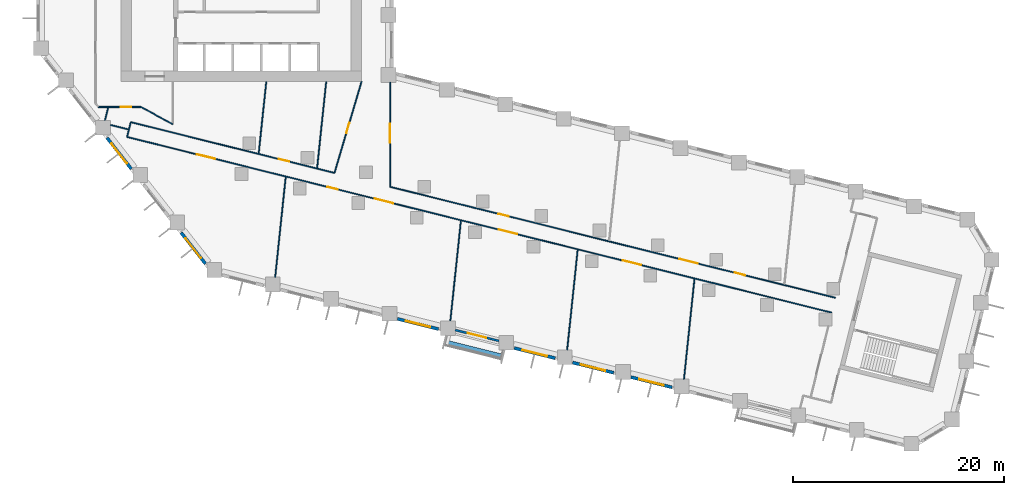
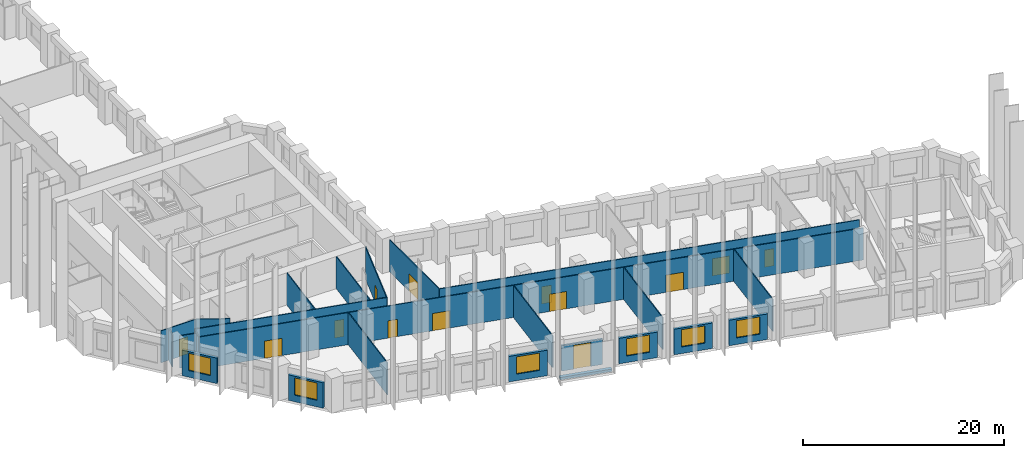
# One storey, part 3 of 11: 24 walls, 13 doors, 6 windows, 19 openings.
"""IFC4 building model written with IfcOpenShell, lengths in metres."""

from ifc_helpers import new_model, si_unit, direction, frame, frame_2d, origin, place, context, subcontext, project, spatial, rectangle, extrude, material, layer, layer_set, type_object, element, fill, save


model = new_model("IFC4")

# Units and contexts
model_context = context("Model", 3, precision=1e-05, world=origin(), true_north=direction((0.0, 1.0)))
body_context = subcontext(model_context, "Body", "Model", "MODEL_VIEW")
ifc_project = project(units=[si_unit("LENGTHUNIT", "METRE"), si_unit("AREAUNIT", "SQUARE_METRE"), si_unit("VOLUMEUNIT", "CUBIC_METRE"), si_unit("PLANEANGLEUNIT", "RADIAN"), si_unit("MASSUNIT", "GRAM", prefix="KILO")], contexts=[model_context])

# Site, building, storey
site_placement = place(None, origin())
site = spatial("IfcSite", under=ifc_project, at=site_placement, CompositionType="ELEMENT")
building_placement = place(site_placement, origin())
building = spatial("IfcBuilding", under=site, at=building_placement, Name="Meshkara Civic Tower", CompositionType="ELEMENT")
storey_placement = place(building_placement, frame((0.0, 0.0, 49.800048828125)))
storey = spatial("IfcBuildingStorey", under=building, at=storey_placement, Name="L10", CompositionType="ELEMENT", Elevation=49.800048828125)

# Wall, opening, door
ifc_material_1 = material(Name="Corridor wall 100")
ifc_layer_1 = layer(ifc_material_1, 0.10009765625)
ifc_layer_set_1 = layer_set([ifc_layer_1], Name="Corridor wall 100")
wall_type_1 = type_object("IfcWallType", Name="Corridor wall 100", PredefinedType="PARTITIONING", material=ifc_layer_set_1)
wall_1_placement = place(storey_placement, frame((5.867919921875, 11.699951171875, 0.0), z_axis=(0.0, 0.0, 1.0), x_axis=(1.0, 0.0, 0.0)))
wall_1 = element("IfcWall", 1, at=wall_1_placement, inside=storey, type_object=wall_type_1, Name="L10-W007", PredefinedType="PARTITIONING", context=body_context, shape_type="SweptSolid", body=[
    extrude(rectangle(XDim=4.031982421875, YDim=0.10009765625, at=frame_2d((2.01611328125, 0.0))), origin(), (0.0, 0.0, 1.0), 3.89990234375),
])
opening_1_placement = place(wall_1_placement, frame((2.10888671875, 0.0, 0.0)))
opening_1 = element("IfcOpeningElement", 2, at=opening_1_placement, cuts=wall_1, Name="Opening L10-D012", PredefinedType="OPENING", context=body_context, shape_type="SweptSolid", body=[
    extrude(rectangle(XDim=1.0, YDim=2.10009765625, at=frame_2d((0.5, 1.050048828125))), frame((0.0, 0.06005859375, 0.0), z_axis=(0.0, -1.0, 0.0), x_axis=(1.0, 0.0, 0.0)), (0.0, 0.0, 1.0), 0.1201171875),
])
ifc_material_2 = material(Name="Door 1000 x 2100")
door_type_1 = type_object("IfcDoorType", Name="Door 1000 x 2100", OperationType="SINGLE_SWING_LEFT", PredefinedType="DOOR", material=ifc_material_2)
door_1_placement = place(opening_1_placement, origin())
door_1 = element("IfcDoor", 3, at=door_1_placement, inside=storey, type_object=door_type_1, Name="L10-D012", OperationType="SINGLE_SWING_LEFT", OverallHeight=2.10009765625, OverallWidth=1.0, PredefinedType="DOOR", context=body_context, shape_type="SweptSolid", body=[
    extrude(rectangle(XDim=1.0, YDim=2.10009765625, at=frame_2d((0.5, 1.050048828125))), frame((0.0, 0.02490234375, 0.0), z_axis=(0.0, -1.0, 0.0), x_axis=(1.0, 0.0, 0.0)), (0.0, 0.0, 1.0), 0.050048828125),
])
fill(opening_1, door_1)

# Wall, openings, doors
wall_2_placement = place(storey_placement, frame((8.593994140625, 8.862060546875, 0.0), z_axis=(0.0, 0.0, 1.0), x_axis=(0.970292243361, -0.241935864379, 0.0)))
wall_2 = element("IfcWall", 4, at=wall_2_placement, inside=storey, type_object=wall_type_1, Name="L10-W009", PredefinedType="PARTITIONING", context=body_context, shape_type="SweptSolid", body=[
    extrude(rectangle(XDim=68.775146484375, YDim=0.10009765625, at=frame_2d((34.3876953125, 0.0))), origin(), (0.0, 0.0, 1.0), 3.89990234375),
])
opening_2_placement = place(wall_2_placement, frame((36.264892578125, 0.0, 0.0)))
opening_2 = element("IfcOpeningElement", 5, at=opening_2_placement, cuts=wall_2, Name="Opening L10-D003", PredefinedType="OPENING", context=body_context, shape_type="SweptSolid", body=[
    extrude(rectangle(XDim=1.800048828125, YDim=2.10009765625, at=frame_2d((0.89990234375, 1.050048828125))), frame((0.0, 0.06005859375, 0.0), z_axis=(0.0, -1.0, 0.0), x_axis=(1.0, 0.0, 0.0)), (0.0, 0.0, 1.0), 0.1201171875),
])
opening_3_placement = place(wall_2_placement, frame((48.364990234375, 0.0, 0.0)))
opening_3 = element("IfcOpeningElement", 6, at=opening_3_placement, cuts=wall_2, Name="Opening L10-D004", PredefinedType="OPENING", context=body_context, shape_type="SweptSolid", body=[
    extrude(rectangle(XDim=1.800048828125, YDim=2.10009765625, at=frame_2d((0.89990234375, 1.050048828125))), frame((0.0, 0.06005859375, 0.0), z_axis=(0.0, -1.0, 0.0), x_axis=(1.0, 0.0, 0.0)), (0.0, 0.0, 1.0), 0.1201171875),
])
opening_4_placement = place(wall_2_placement, frame((19.56494140625, 0.0, 0.0)))
opening_4 = element("IfcOpeningElement", 7, at=opening_4_placement, cuts=wall_2, Name="Opening L10-D008", PredefinedType="OPENING", context=body_context, shape_type="SweptSolid", body=[
    extrude(rectangle(XDim=1.0, YDim=2.10009765625, at=frame_2d((0.5, 1.050048828125))), frame((0.0, 0.06005859375, 0.0), z_axis=(0.0, -1.0, 0.0), x_axis=(1.0, 0.0, 0.0)), (0.0, 0.0, 1.0), 0.1201171875),
])
opening_5_placement = place(wall_2_placement, frame((24.1650390625, 0.0, 0.0)))
opening_5 = element("IfcOpeningElement", 8, at=opening_5_placement, cuts=wall_2, Name="Opening L10-D009", PredefinedType="OPENING", context=body_context, shape_type="SweptSolid", body=[
    extrude(rectangle(XDim=1.800048828125, YDim=2.10009765625, at=frame_2d((0.89990234375, 1.050048828125))), frame((0.0, 0.06005859375, 0.0), z_axis=(0.0, -1.0, 0.0), x_axis=(1.0, 0.0, 0.0)), (0.0, 0.0, 1.0), 0.1201171875),
])
opening_6_placement = place(wall_2_placement, frame((6.780029296875, 0.0, 0.0)))
opening_6 = element("IfcOpeningElement", 9, at=opening_6_placement, cuts=wall_2, Name="Opening L10-D013", PredefinedType="OPENING", context=body_context, shape_type="SweptSolid", body=[
    extrude(rectangle(XDim=1.800048828125, YDim=2.10009765625, at=frame_2d((0.89990234375, 1.050048828125))), frame((0.0, 0.06005859375, 0.0), z_axis=(0.0, -1.0, 0.0), x_axis=(1.0, 0.0, 0.0)), (0.0, 0.0, 1.0), 0.1201171875),
])
door_2_placement = place(opening_4_placement, origin())
door_2 = element("IfcDoor", 10, at=door_2_placement, inside=storey, type_object=door_type_1, Name="L10-D008", OperationType="SINGLE_SWING_RIGHT", OverallHeight=2.10009765625, OverallWidth=1.0, PredefinedType="DOOR", context=body_context, shape_type="SweptSolid", body=[
    extrude(rectangle(XDim=1.0, YDim=2.10009765625, at=frame_2d((0.5, 1.050048828125))), frame((0.0, 0.02490234375, 0.0), z_axis=(0.0, -1.0, 0.0), x_axis=(1.0, 0.0, 0.0)), (0.0, 0.0, 1.0), 0.050048828125),
])
fill(opening_4, door_2)
ifc_material_3 = material(Name="Door pair 1800 x 2100")
door_type_2 = type_object("IfcDoorType", Name="Door pair 1800 x 2100", OperationType="SINGLE_SWING_LEFT", PredefinedType="DOOR", material=ifc_material_3)
door_3_placement = place(opening_2_placement, origin())
door_3 = element("IfcDoor", 11, at=door_3_placement, inside=storey, type_object=door_type_2, Name="L10-D003", OperationType="DOUBLE_DOOR_SINGLE_SWING", OverallHeight=2.10009765625, OverallWidth=1.800048828125, PredefinedType="DOOR", context=body_context, shape_type="SweptSolid", body=[
    extrude(rectangle(XDim=1.800048828125, YDim=2.10009765625, at=frame_2d((0.89990234375, 1.050048828125))), frame((0.0, 0.02490234375, 0.0), z_axis=(0.0, -1.0, 0.0), x_axis=(1.0, 0.0, 0.0)), (0.0, 0.0, 1.0), 0.050048828125),
])
fill(opening_2, door_3)
door_4_placement = place(opening_3_placement, origin())
door_4 = element("IfcDoor", 12, at=door_4_placement, inside=storey, type_object=door_type_2, Name="L10-D004", OperationType="DOUBLE_DOOR_SINGLE_SWING", OverallHeight=2.10009765625, OverallWidth=1.800048828125, PredefinedType="DOOR", context=body_context, shape_type="SweptSolid", body=[
    extrude(rectangle(XDim=1.800048828125, YDim=2.10009765625, at=frame_2d((0.89990234375, 1.050048828125))), frame((0.0, 0.02490234375, 0.0), z_axis=(0.0, -1.0, 0.0), x_axis=(1.0, 0.0, 0.0)), (0.0, 0.0, 1.0), 0.050048828125),
])
fill(opening_3, door_4)
door_5_placement = place(opening_5_placement, origin())
door_5 = element("IfcDoor", 13, at=door_5_placement, inside=storey, type_object=door_type_2, Name="L10-D009", OperationType="DOUBLE_DOOR_SINGLE_SWING", OverallHeight=2.10009765625, OverallWidth=1.800048828125, PredefinedType="DOOR", context=body_context, shape_type="SweptSolid", body=[
    extrude(rectangle(XDim=1.800048828125, YDim=2.10009765625, at=frame_2d((0.89990234375, 1.050048828125))), frame((0.0, 0.02490234375, 0.0), z_axis=(0.0, -1.0, 0.0), x_axis=(1.0, 0.0, 0.0)), (0.0, 0.0, 1.0), 0.050048828125),
])
fill(opening_5, door_5)
door_6_placement = place(opening_6_placement, origin())
door_6 = element("IfcDoor", 14, at=door_6_placement, inside=storey, type_object=door_type_2, Name="L10-D013", OperationType="DOUBLE_DOOR_SINGLE_SWING", OverallHeight=2.10009765625, OverallWidth=1.800048828125, PredefinedType="DOOR", context=body_context, shape_type="SweptSolid", body=[
    extrude(rectangle(XDim=1.800048828125, YDim=2.10009765625, at=frame_2d((0.89990234375, 1.050048828125))), frame((0.0, 0.02490234375, 0.0), z_axis=(0.0, -1.0, 0.0), x_axis=(1.0, 0.0, 0.0)), (0.0, 0.0, 1.0), 0.050048828125),
])
fill(opening_6, door_6)

# Wall, opening, door
wall_3_placement = place(storey_placement, frame((8.944091796875, 10.263916015625, 0.0), z_axis=(0.0, 0.0, 1.0), x_axis=(0.970300504447, -0.241902730595, 0.0)))
wall_3 = element("IfcWall", 15, at=wall_3_placement, inside=storey, type_object=wall_type_1, Name="L10-W010", PredefinedType="PARTITIONING", context=body_context, shape_type="SweptSolid", body=[
    extrude(rectangle(XDim=19.879150390625, YDim=0.10009765625, at=frame_2d((9.939453125, 0.0))), origin(), (0.0, 0.0, 1.0), 3.89990234375),
])
opening_7_placement = place(wall_3_placement, frame((14.449951171875, 0.0, 0.0)))
opening_7 = element("IfcOpeningElement", 16, at=opening_7_placement, cuts=wall_3, Name="Opening L10-D014", PredefinedType="OPENING", context=body_context, shape_type="SweptSolid", body=[
    extrude(rectangle(XDim=1.0, YDim=2.10009765625, at=frame_2d((0.5, 1.050048828125))), frame((0.0, 0.06005859375, 0.0), z_axis=(0.0, -1.0, 0.0), x_axis=(1.0, 0.0, 0.0)), (0.0, 0.0, 1.0), 0.1201171875),
])
door_7_placement = place(opening_7_placement, origin())
door_7 = element("IfcDoor", 17, at=door_7_placement, inside=storey, type_object=door_type_1, Name="L10-D014", OperationType="SINGLE_SWING_LEFT", OverallHeight=2.10009765625, OverallWidth=1.0, PredefinedType="DOOR", context=body_context, shape_type="SweptSolid", body=[
    extrude(rectangle(XDim=1.0, YDim=2.10009765625, at=frame_2d((0.5, 1.050048828125))), frame((0.0, 0.02490234375, 0.0), z_axis=(0.0, -1.0, 0.0), x_axis=(1.0, 0.0, 0.0)), (0.0, 0.0, 1.0), 0.050048828125),
])
fill(opening_7, door_7)

# Walls
wall_4_placement = place(storey_placement, frame((8.944091796875, 10.263916015625, 0.0), z_axis=(0.0, 0.0, 1.0), x_axis=(-0.242297077633, -0.970202105837, 0.0)))
element("IfcWall", 18, at=wall_4_placement, inside=storey, type_object=wall_type_1, Name="L10-W011", PredefinedType="PARTITIONING", context=body_context, shape_type="SweptSolid", body=[
    extrude(rectangle(XDim=1.44482421875, YDim=0.10009765625, at=frame_2d((0.722412109375, 0.0))), origin(), (0.0, 0.0, 1.0), 3.89990234375),
])
wall_5_placement = place(storey_placement, frame((9.89990234375, 11.699951171875, 0.0), z_axis=(0.0, 0.0, 1.0), x_axis=(0.87965147249, -0.475618846291, 0.0)))
element("IfcWall", 19, at=wall_5_placement, inside=storey, type_object=wall_type_1, Name="L10-W012", PredefinedType="PARTITIONING", context=body_context, shape_type="SweptSolid", body=[
    extrude(rectangle(XDim=3.410400390625, YDim=0.10009765625, at=frame_2d((1.705078125, 0.0))), origin(), (0.0, 0.0, 1.0), 3.89990234375),
])

# Wall, opening, door
wall_6_placement = place(storey_placement, frame((30.800048828125, 14.10009765625, 0.0), z_axis=(0.0, 0.0, 1.0), x_axis=(-0.284664373847, -0.95862724469, 0.0)))
wall_6 = element("IfcWall", 20, at=wall_6_placement, inside=storey, type_object=wall_type_1, Name="L10-W022", PredefinedType="PARTITIONING", context=body_context, shape_type="SweptSolid", body=[
    extrude(rectangle(XDim=9.01806640625, YDim=0.10009765625, at=frame_2d((4.509033203125, 0.0))), origin(), (0.0, 0.0, 1.0), 3.89990234375),
])
opening_8_placement = place(wall_6_placement, frame((4.080078125, 0.0, 0.0)))
opening_8 = element("IfcOpeningElement", 21, at=opening_8_placement, cuts=wall_6, Name="Opening L10-D015", PredefinedType="OPENING", context=body_context, shape_type="SweptSolid", body=[
    extrude(rectangle(XDim=1.0, YDim=2.10009765625, at=frame_2d((0.5, 1.050048828125))), frame((0.0, 0.06005859375, 0.0), z_axis=(0.0, -1.0, 0.0), x_axis=(1.0, 0.0, 0.0)), (0.0, 0.0, 1.0), 0.1201171875),
])
door_8_placement = place(opening_8_placement, origin())
door_8 = element("IfcDoor", 22, at=door_8_placement, inside=storey, type_object=door_type_1, Name="L10-D015", OperationType="SINGLE_SWING_LEFT", OverallHeight=2.10009765625, OverallWidth=1.0, PredefinedType="DOOR", context=body_context, shape_type="SweptSolid", body=[
    extrude(rectangle(XDim=1.0, YDim=2.10009765625, at=frame_2d((0.5, 1.050048828125))), frame((0.0, 0.02490234375, 0.0), z_axis=(0.0, -1.0, 0.0), x_axis=(1.0, 0.0, 0.0)), (0.0, 0.0, 1.0), 0.050048828125),
])
fill(opening_8, door_8)

# Wall, openings, doors
wall_7_placement = place(storey_placement, frame((33.5, 4.14111328125, 0.0), z_axis=(0.0, 0.0, 1.0), x_axis=(0.970298574657, -0.24191047108, 0.0)))
wall_7 = element("IfcWall", 23, at=wall_7_placement, inside=storey, type_object=wall_type_1, Name="L10-W023", PredefinedType="PARTITIONING", context=body_context, shape_type="SweptSolid", body=[
    extrude(rectangle(XDim=43.467041015625, YDim=0.10009765625, at=frame_2d((21.7333984375, 0.0))), origin(), (0.0, 0.0, 1.0), 3.89990234375),
])
opening_9_placement = place(wall_7_placement, frame((28.242919921875, 0.0, 0.0)))
opening_9 = element("IfcOpeningElement", 24, at=opening_9_placement, cuts=wall_7, Name="Opening L10-D005", PredefinedType="OPENING", context=body_context, shape_type="SweptSolid", body=[
    extrude(rectangle(XDim=1.800048828125, YDim=2.10009765625, at=frame_2d((0.89990234375, 1.050048828125))), frame((0.0, 0.06005859375, 0.0), z_axis=(0.0, -1.0, 0.0), x_axis=(1.0, 0.0, 0.0)), (0.0, 0.0, 1.0), 0.1201171875),
])
opening_10_placement = place(wall_7_placement, frame((33.64306640625, 0.0, 0.0)))
opening_10 = element("IfcOpeningElement", 25, at=opening_10_placement, cuts=wall_7, Name="Opening L10-D006", PredefinedType="OPENING", context=body_context, shape_type="SweptSolid", body=[
    extrude(rectangle(XDim=1.0, YDim=2.10009765625, at=frame_2d((0.5, 1.050048828125))), frame((0.0, 0.06005859375, 0.0), z_axis=(0.0, -1.0, 0.0), x_axis=(1.0, 0.0, 0.0)), (0.0, 0.0, 1.0), 0.1201171875),
])
opening_11_placement = place(wall_7_placement, frame((10.580078125, 0.0, 0.0)))
opening_11 = element("IfcOpeningElement", 26, at=opening_11_placement, cuts=wall_7, Name="Opening L10-D010", PredefinedType="OPENING", context=body_context, shape_type="SweptSolid", body=[
    extrude(rectangle(XDim=1.0, YDim=2.10009765625, at=frame_2d((0.5, 1.050048828125))), frame((0.0, 0.06005859375, 0.0), z_axis=(0.0, -1.0, 0.0), x_axis=(1.0, 0.0, 0.0)), (0.0, 0.0, 1.0), 0.1201171875),
])
door_9_placement = place(opening_10_placement, origin())
door_9 = element("IfcDoor", 27, at=door_9_placement, inside=storey, type_object=door_type_1, Name="L10-D006", OperationType="SINGLE_SWING_RIGHT", OverallHeight=2.10009765625, OverallWidth=1.0, PredefinedType="DOOR", context=body_context, shape_type="SweptSolid", body=[
    extrude(rectangle(XDim=1.0, YDim=2.10009765625, at=frame_2d((0.5, 1.050048828125))), frame((0.0, 0.02490234375, 0.0), z_axis=(0.0, -1.0, 0.0), x_axis=(1.0, 0.0, 0.0)), (0.0, 0.0, 1.0), 0.050048828125),
])
fill(opening_10, door_9)
door_10_placement = place(opening_11_placement, origin())
door_10 = element("IfcDoor", 28, at=door_10_placement, inside=storey, type_object=door_type_1, Name="L10-D010", OperationType="SINGLE_SWING_RIGHT", OverallHeight=2.10009765625, OverallWidth=1.0, PredefinedType="DOOR", context=body_context, shape_type="SweptSolid", body=[
    extrude(rectangle(XDim=1.0, YDim=2.10009765625, at=frame_2d((0.5, 1.050048828125))), frame((0.0, 0.02490234375, 0.0), z_axis=(0.0, -1.0, 0.0), x_axis=(1.0, 0.0, 0.0)), (0.0, 0.0, 1.0), 0.050048828125),
])
fill(opening_11, door_10)
door_11_placement = place(opening_9_placement, origin())
door_11 = element("IfcDoor", 29, at=door_11_placement, inside=storey, type_object=door_type_2, Name="L10-D005", OperationType="DOUBLE_DOOR_SINGLE_SWING", OverallHeight=2.10009765625, OverallWidth=1.800048828125, PredefinedType="DOOR", context=body_context, shape_type="SweptSolid", body=[
    extrude(rectangle(XDim=1.800048828125, YDim=2.10009765625, at=frame_2d((0.89990234375, 1.050048828125))), frame((0.0, 0.02490234375, 0.0), z_axis=(0.0, -1.0, 0.0), x_axis=(1.0, 0.0, 0.0)), (0.0, 0.0, 1.0), 0.050048828125),
])
fill(opening_9, door_11)

# Wall, opening, door
wall_8_placement = place(storey_placement, frame((33.5, 4.14111328125, 0.0), z_axis=(0.0, 0.0, 1.0), x_axis=(0.0, 1.0, 0.0)))
wall_8 = element("IfcWall", 30, at=wall_8_placement, inside=storey, type_object=wall_type_1, Name="L10-W024", PredefinedType="PARTITIONING", context=body_context, shape_type="SweptSolid", body=[
    extrude(rectangle(XDim=9.8779296875, YDim=0.10009765625, at=frame_2d((4.93896484375, 0.0))), origin(), (0.0, 0.0, 1.0), 3.89990234375),
])
opening_12_placement = place(wall_8_placement, frame((4.179931640625, 0.0, 0.0)))
opening_12 = element("IfcOpeningElement", 31, at=opening_12_placement, cuts=wall_8, Name="Opening L10-D016", PredefinedType="OPENING", context=body_context, shape_type="SweptSolid", body=[
    extrude(rectangle(XDim=1.800048828125, YDim=2.10009765625, at=frame_2d((0.89990234375, 1.050048828125))), frame((0.0, 0.06005859375, 0.0), z_axis=(0.0, -1.0, 0.0), x_axis=(1.0, 0.0, 0.0)), (0.0, 0.0, 1.0), 0.1201171875),
])
door_12_placement = place(opening_12_placement, origin())
door_12 = element("IfcDoor", 32, at=door_12_placement, inside=storey, type_object=door_type_2, Name="L10-D016", OperationType="DOUBLE_DOOR_SINGLE_SWING", OverallHeight=2.10009765625, OverallWidth=1.800048828125, PredefinedType="DOOR", context=body_context, shape_type="SweptSolid", body=[
    extrude(rectangle(XDim=1.800048828125, YDim=2.10009765625, at=frame_2d((0.89990234375, 1.050048828125))), frame((0.0, 0.02490234375, 0.0), z_axis=(0.0, -1.0, 0.0), x_axis=(1.0, 0.0, 0.0)), (0.0, 0.0, 1.0), 0.050048828125),
])
fill(opening_12, door_12)

# Wall, opening, window
ifc_material_4 = material(Name="Insulated infill panel with bronze anodised aluminium cladding", Category="aluminium")
ifc_layer_2 = layer(ifc_material_4, 0.300048828125)
ifc_layer_set_2 = layer_set([ifc_layer_2], Name="EXTERNAL INFILL WALL 300")
wall_type_2 = type_object("IfcWallType", Name="EXTERNAL INFILL WALL 300", PredefinedType="SOLIDWALL", material=ifc_layer_set_2)
wall_9_placement = place(storey_placement, frame((6.69189453125, 8.778076171875, 0.0), z_axis=(0.0, 0.0, 1.0), x_axis=(0.615767067156, -0.787928244833, 0.0)))
wall_9 = element("IfcWall", 33, at=wall_9_placement, inside=storey, type_object=wall_type_2, Name="External wall", PredefinedType="SOLIDWALL", context=body_context, shape_type="SweptSolid", body=[
    extrude(rectangle(XDim=3.7353515625, YDim=0.300048828125, at=frame_2d((1.86767578125, 0.0))), origin(), (0.0, 0.0, 1.0), 3.099853515625),
])
opening_13_placement = place(wall_9_placement, frame((0.66796875, 0.0, 0.800048828125)))
opening_13 = element("IfcOpeningElement", 34, at=opening_13_placement, cuts=wall_9, Name="Opening W7", PredefinedType="OPENING", context=body_context, shape_type="SweptSolid", body=[
    extrude(rectangle(XDim=2.39990234375, YDim=2.10009765625, at=frame_2d((1.199951171875, 1.050048828125))), frame((0.0, 0.159912109375, 0.0), z_axis=(0.0, -1.0, 0.0), x_axis=(1.0, 0.0, 0.0)), (0.0, 0.0, 1.0), 0.320068359375),
])
ifc_material_5 = material(Name="Tinted double glazing", Category="glass")
window_type = type_object("IfcWindowType", Name="WINDOW 2400x2100", PartitioningType="DOUBLE_PANEL_VERTICAL", PredefinedType="WINDOW", material=ifc_material_5)
window_1_placement = place(opening_13_placement, origin())
window_1 = element("IfcWindow", 35, at=window_1_placement, inside=storey, type_object=window_type, Name="Window", OverallHeight=2.10009765625, OverallWidth=2.39990234375, PartitioningType="DOUBLE_PANEL_VERTICAL", PredefinedType="WINDOW", context=body_context, shape_type="SweptSolid", body=[
    extrude(rectangle(XDim=2.39990234375, YDim=2.10009765625, at=frame_2d((1.199951171875, 1.050048828125))), frame((0.0, 0.030029296875, 0.0), z_axis=(0.0, -1.0, 0.0), x_axis=(1.0, 0.0, 0.0)), (0.0, 0.0, 1.0), 0.06005859375),
])
fill(opening_13, window_1)

wall_10_placement = place(storey_placement, frame((13.7099609375, -0.205078125, 0.0), z_axis=(0.0, 0.0, 1.0), x_axis=(0.615798780214, -0.787903460004, 0.0)))
wall_10 = element("IfcWall", 36, at=wall_10_placement, inside=storey, type_object=wall_type_2, Name="External wall", PredefinedType="SOLIDWALL", context=body_context, shape_type="SweptSolid", body=[
    extrude(rectangle(XDim=3.735107421875, YDim=0.300048828125, at=frame_2d((1.86767578125, 0.0))), origin(), (0.0, 0.0, 1.0), 3.099853515625),
])
opening_14_placement = place(wall_10_placement, frame((0.6669921875, 0.0, 0.800048828125)))
opening_14 = element("IfcOpeningElement", 37, at=opening_14_placement, cuts=wall_10, Name="Opening W7", PredefinedType="OPENING", context=body_context, shape_type="SweptSolid", body=[
    extrude(rectangle(XDim=2.39990234375, YDim=2.10009765625, at=frame_2d((1.199951171875, 1.050048828125))), frame((0.0, 0.159912109375, 0.0), z_axis=(0.0, -1.0, 0.0), x_axis=(1.0, 0.0, 0.0)), (0.0, 0.0, 1.0), 0.320068359375),
])
window_2_placement = place(opening_14_placement, origin())
window_2 = element("IfcWindow", 38, at=window_2_placement, inside=storey, type_object=window_type, Name="Window", OverallHeight=2.10009765625, OverallWidth=2.39990234375, PartitioningType="DOUBLE_PANEL_VERTICAL", PredefinedType="WINDOW", context=body_context, shape_type="SweptSolid", body=[
    extrude(rectangle(XDim=2.39990234375, YDim=2.10009765625, at=frame_2d((1.199951171875, 1.050048828125))), frame((0.0, 0.030029296875, 0.0), z_axis=(0.0, -1.0, 0.0), x_axis=(1.0, 0.0, 0.0)), (0.0, 0.0, 1.0), 0.06005859375),
])
fill(opening_14, window_2)

wall_11_placement = place(storey_placement, frame((34.194091796875, -8.37109375, 0.0), z_axis=(0.0, 0.0, 1.0), x_axis=(0.970314477803, -0.241846674911, 0.0)))
wall_11 = element("IfcWall", 39, at=wall_11_placement, inside=storey, type_object=wall_type_2, Name="External wall", PredefinedType="SOLIDWALL", context=body_context, shape_type="SweptSolid", body=[
    extrude(rectangle(XDim=4.002685546875, YDim=0.300048828125, at=frame_2d((2.00146484375, 0.0))), origin(), (0.0, 0.0, 1.0), 3.099853515625),
])
opening_15_placement = place(wall_11_placement, frame((0.802001953125, 0.0, 0.800048828125)))
opening_15 = element("IfcOpeningElement", 40, at=opening_15_placement, cuts=wall_11, Name="Opening W7", PredefinedType="OPENING", context=body_context, shape_type="SweptSolid", body=[
    extrude(rectangle(XDim=2.39990234375, YDim=2.10009765625, at=frame_2d((1.199951171875, 1.050048828125))), frame((0.0, 0.159912109375, 0.0), z_axis=(0.0, -1.0, 0.0), x_axis=(1.0, 0.0, 0.0)), (0.0, 0.0, 1.0), 0.320068359375),
])
window_3_placement = place(opening_15_placement, origin())
window_3 = element("IfcWindow", 41, at=window_3_placement, inside=storey, type_object=window_type, Name="Window", OverallHeight=2.10009765625, OverallWidth=2.39990234375, PartitioningType="DOUBLE_PANEL_VERTICAL", PredefinedType="WINDOW", context=body_context, shape_type="SweptSolid", body=[
    extrude(rectangle(XDim=2.39990234375, YDim=2.10009765625, at=frame_2d((1.199951171875, 1.050048828125))), frame((0.0, 0.030029296875, 0.0), z_axis=(0.0, -1.0, 0.0), x_axis=(1.0, 0.0, 0.0)), (0.0, 0.0, 1.0), 0.06005859375),
])
fill(opening_15, window_3)

wall_12_placement = place(storey_placement, frame((45.256103515625, -11.12890625, 0.0), z_axis=(0.0, 0.0, 1.0), x_axis=(0.970300202301, -0.241903942538, 0.0)))
wall_12 = element("IfcWall", 42, at=wall_12_placement, inside=storey, type_object=wall_type_2, Name="External wall", PredefinedType="SOLIDWALL", context=body_context, shape_type="SweptSolid", body=[
    extrude(rectangle(XDim=4.001708984375, YDim=0.300048828125, at=frame_2d((2.0009765625, 0.0))), origin(), (0.0, 0.0, 1.0), 3.099853515625),
])
opening_16_placement = place(wall_12_placement, frame((0.801025390625, 0.0, 0.800048828125)))
opening_16 = element("IfcOpeningElement", 43, at=opening_16_placement, cuts=wall_12, Name="Opening W7", PredefinedType="OPENING", context=body_context, shape_type="SweptSolid", body=[
    extrude(rectangle(XDim=2.39990234375, YDim=2.10009765625, at=frame_2d((1.199951171875, 1.050048828125))), frame((0.0, 0.159912109375, 0.0), z_axis=(0.0, -1.0, 0.0), x_axis=(1.0, 0.0, 0.0)), (0.0, 0.0, 1.0), 0.320068359375),
])
window_4_placement = place(opening_16_placement, origin())
window_4 = element("IfcWindow", 44, at=window_4_placement, inside=storey, type_object=window_type, Name="Window", OverallHeight=2.10009765625, OverallWidth=2.39990234375, PartitioningType="DOUBLE_PANEL_VERTICAL", PredefinedType="WINDOW", context=body_context, shape_type="SweptSolid", body=[
    extrude(rectangle(XDim=2.39990234375, YDim=2.10009765625, at=frame_2d((1.199951171875, 1.050048828125))), frame((0.0, 0.030029296875, 0.0), z_axis=(0.0, -1.0, 0.0), x_axis=(1.0, 0.0, 0.0)), (0.0, 0.0, 1.0), 0.06005859375),
])
fill(opening_16, window_4)

wall_13_placement = place(storey_placement, frame((50.785888671875, -12.508056640625, 0.0), z_axis=(0.0, 0.0, 1.0), x_axis=(0.970318045095, -0.24183236211, 0.0)))
wall_13 = element("IfcWall", 45, at=wall_13_placement, inside=storey, type_object=wall_type_2, Name="External wall", PredefinedType="SOLIDWALL", context=body_context, shape_type="SweptSolid", body=[
    extrude(rectangle(XDim=4.0029296875, YDim=0.300048828125, at=frame_2d((2.00146484375, 0.0))), origin(), (0.0, 0.0, 1.0), 3.099853515625),
])
opening_17_placement = place(wall_13_placement, frame((0.802001953125, 0.0, 0.800048828125)))
opening_17 = element("IfcOpeningElement", 46, at=opening_17_placement, cuts=wall_13, Name="Opening W7", PredefinedType="OPENING", context=body_context, shape_type="SweptSolid", body=[
    extrude(rectangle(XDim=2.39990234375, YDim=2.10009765625, at=frame_2d((1.199951171875, 1.050048828125))), frame((0.0, 0.159912109375, 0.0), z_axis=(0.0, -1.0, 0.0), x_axis=(1.0, 0.0, 0.0)), (0.0, 0.0, 1.0), 0.320068359375),
])
window_5_placement = place(opening_17_placement, origin())
window_5 = element("IfcWindow", 47, at=window_5_placement, inside=storey, type_object=window_type, Name="Window", OverallHeight=2.10009765625, OverallWidth=2.39990234375, PartitioningType="DOUBLE_PANEL_VERTICAL", PredefinedType="WINDOW", context=body_context, shape_type="SweptSolid", body=[
    extrude(rectangle(XDim=2.39990234375, YDim=2.10009765625, at=frame_2d((1.199951171875, 1.050048828125))), frame((0.0, 0.030029296875, 0.0), z_axis=(0.0, -1.0, 0.0), x_axis=(1.0, 0.0, 0.0)), (0.0, 0.0, 1.0), 0.06005859375),
])
fill(opening_17, window_5)

wall_14_placement = place(storey_placement, frame((56.31689453125, -13.886962890625, 0.0), z_axis=(0.0, 0.0, 1.0), x_axis=(0.970318045095, -0.24183236211, 0.0)))
wall_14 = element("IfcWall", 48, at=wall_14_placement, inside=storey, type_object=wall_type_2, Name="External wall", PredefinedType="SOLIDWALL", context=body_context, shape_type="SweptSolid", body=[
    extrude(rectangle(XDim=4.0029296875, YDim=0.300048828125, at=frame_2d((2.00146484375, 0.0))), origin(), (0.0, 0.0, 1.0), 3.099853515625),
])
opening_18_placement = place(wall_14_placement, frame((0.802001953125, 0.0, 0.800048828125)))
opening_18 = element("IfcOpeningElement", 49, at=opening_18_placement, cuts=wall_14, Name="Opening W7", PredefinedType="OPENING", context=body_context, shape_type="SweptSolid", body=[
    extrude(rectangle(XDim=2.39990234375, YDim=2.10009765625, at=frame_2d((1.199951171875, 1.050048828125))), frame((0.0, 0.159912109375, 0.0), z_axis=(0.0, -1.0, 0.0), x_axis=(1.0, 0.0, 0.0)), (0.0, 0.0, 1.0), 0.320068359375),
])
window_6_placement = place(opening_18_placement, origin())
window_6 = element("IfcWindow", 50, at=window_6_placement, inside=storey, type_object=window_type, Name="Window", OverallHeight=2.10009765625, OverallWidth=2.39990234375, PartitioningType="DOUBLE_PANEL_VERTICAL", PredefinedType="WINDOW", context=body_context, shape_type="SweptSolid", body=[
    extrude(rectangle(XDim=2.39990234375, YDim=2.10009765625, at=frame_2d((1.199951171875, 1.050048828125))), frame((0.0, 0.030029296875, 0.0), z_axis=(0.0, -1.0, 0.0), x_axis=(1.0, 0.0, 0.0)), (0.0, 0.0, 1.0), 0.06005859375),
])
fill(opening_18, window_6)

# Wall, opening, door
ifc_material_6 = material(Name="Insulated infill panel with bronze anodised aluminium cladding", Category="aluminium")
ifc_layer_3 = layer(ifc_material_6, 0.199951171875)
ifc_layer_set_3 = layer_set([ifc_layer_3], Name="LOGGIA BACK WALL 200")
wall_type_3 = type_object("IfcWallType", Name="LOGGIA BACK WALL 200", PredefinedType="SOLIDWALL", material=ifc_layer_set_3)
wall_15_placement = place(storey_placement, frame((39.674072265625, -9.427978515625, 0.0), z_axis=(0.0, 0.0, 1.0), x_axis=(0.970290742877, -0.241941882045, 0.0)))
wall_15 = element("IfcWall", 51, at=wall_15_placement, inside=storey, type_object=wall_type_3, Name="Loggia wall", PredefinedType="SOLIDWALL", context=body_context, shape_type="SweptSolid", body=[
    extrude(rectangle(XDim=4.25732421875, YDim=0.199951171875, at=frame_2d((2.128662109375, 0.0))), origin(), (0.0, 0.0, 1.0), 3.099853515625),
])
opening_19_placement = place(wall_15_placement, frame((1.22802734375, 0.0, 0.0)))
opening_19 = element("IfcOpeningElement", 52, at=opening_19_placement, cuts=wall_15, Name="Opening L10-L003", PredefinedType="OPENING", context=body_context, shape_type="SweptSolid", body=[
    extrude(rectangle(XDim=1.800048828125, YDim=2.89990234375, at=frame_2d((0.89990234375, 1.449951171875))), frame((0.0, 0.10986328125, 0.0), z_axis=(0.0, -1.0, 0.0), x_axis=(1.0, 0.0, 0.0)), (0.0, 0.0, 1.0), 0.219970703125),
])
ifc_material_7 = material(Name="Tinted double glazing", Category="glass")
door_type_3 = type_object("IfcDoorType", Name="LOGGIA DOOR 1800x2900", OperationType="DOUBLE_DOOR_SINGLE_SWING", PredefinedType="DOOR", material=ifc_material_7)
door_13_placement = place(opening_19_placement, origin())
door_13 = element("IfcDoor", 53, at=door_13_placement, inside=storey, type_object=door_type_3, Name="L10-L003", OperationType="DOUBLE_DOOR_SINGLE_SWING", OverallHeight=2.89990234375, OverallWidth=1.800048828125, PredefinedType="DOOR", context=body_context, shape_type="SweptSolid", body=[
    extrude(rectangle(XDim=1.800048828125, YDim=2.89990234375, at=frame_2d((0.89990234375, 1.449951171875))), frame((0.0, 0.02490234375, 0.0), z_axis=(0.0, -1.0, 0.0), x_axis=(1.0, 0.0, 0.0)), (0.0, 0.0, 1.0), 0.050048828125),
])
fill(opening_19, door_13)

# Walls
ifc_material_8 = material(Name="Concrete C40", Category="concrete")
ifc_layer_4 = layer(ifc_material_8, 0.39990234375)
ifc_layer_set_4 = layer_set([ifc_layer_4], Name="PLANTER TRAY")
wall_type_4 = type_object("IfcWallType", Name="PLANTER TRAY", PredefinedType="SOLIDWALL", material=ifc_layer_set_4)
wall_16_placement = place(storey_placement, frame((38.81689453125, -10.5849609375, 0.0), z_axis=(0.0, 0.0, 1.0), x_axis=(0.970281652924, -0.241978333739, 0.0)))
element("IfcWall", 54, at=wall_16_placement, inside=storey, type_object=wall_type_4, Name="Planter", PredefinedType="SOLIDWALL", context=body_context, shape_type="SweptSolid", body=[
    extrude(rectangle(XDim=5.360595703125, YDim=0.39990234375, at=frame_2d((2.68017578125, 0.0))), origin(), (0.0, 0.0, 1.0), 0.300048828125),
])
ifc_material_9 = material(Name="Partition 100")
ifc_layer_5 = layer(ifc_material_9, 0.10009765625)
ifc_layer_set_5 = layer_set([ifc_layer_5], Name="Partition 100")
wall_type_5 = type_object("IfcWallType", Name="Partition 100", PredefinedType="PARTITIONING", material=ifc_layer_set_5)
wall_17_placement = place(storey_placement, frame((6.797119140625, 11.637939453125, 0.0), z_axis=(0.0, 0.0, 1.0), x_axis=(-0.242396400943, -0.970177295555, 0.0)))
element("IfcWall", 55, at=wall_17_placement, inside=storey, type_object=wall_type_5, Name="L10-W038", PredefinedType="PARTITIONING", context=body_context, shape_type="SweptSolid", body=[
    extrude(rectangle(XDim=1.23779296875, YDim=0.10009765625, at=frame_2d((0.618896484375, 0.0))), origin(), (0.0, 0.0, 1.0), 3.89990234375),
])
wall_18_placement = place(storey_placement, frame((8.719970703125, 9.573974609375, 0.0), z_axis=(0.0, 0.0, 1.0), x_axis=(-0.97016712555, 0.242437102155, 0.0)))
element("IfcWall", 56, at=wall_18_placement, inside=storey, type_object=wall_type_5, Name="L10-W039", PredefinedType="PARTITIONING", context=body_context, shape_type="SweptSolid", body=[
    extrude(rectangle(XDim=1.749267578125, YDim=0.10009765625, at=frame_2d((0.87451171875, 0.0))), origin(), (0.0, 0.0, 1.0), 3.89990234375),
])
wall_19_placement = place(storey_placement, frame((21.05810546875, 7.302001953125, 0.0), z_axis=(0.0, 0.0, 1.0), x_axis=(0.10457695042, 0.994516797968, 0.0)))
element("IfcWall", 57, at=wall_19_placement, inside=storey, type_object=wall_type_5, Name="L10-W043", PredefinedType="PARTITIONING", context=body_context, shape_type="SweptSolid", body=[
    extrude(rectangle(XDim=6.835693359375, YDim=0.10009765625, at=frame_2d((3.41796875, 0.0))), origin(), (0.0, 0.0, 1.0), 3.89990234375),
])
wall_20_placement = place(storey_placement, frame((22.616943359375, -4.4169921875, 0.0), z_axis=(0.0, 0.0, 1.0), x_axis=(0.10455139139, 0.994519485258, 0.0)))
element("IfcWall", 58, at=wall_20_placement, inside=storey, type_object=wall_type_5, Name="L10-W046", PredefinedType="PARTITIONING", context=body_context, shape_type="SweptSolid", body=[
    extrude(rectangle(XDim=9.52734375, YDim=0.10009765625, at=frame_2d((4.763671875, 0.0))), origin(), (0.0, 0.0, 1.0), 3.89990234375),
])
wall_21_placement = place(storey_placement, frame((26.589111328125, 5.923095703125, 0.0), z_axis=(0.0, 0.0, 1.0), x_axis=(0.104579677912, 0.994516511159, 0.0)))
element("IfcWall", 59, at=wall_21_placement, inside=storey, type_object=wall_type_5, Name="L10-W047", PredefinedType="PARTITIONING", context=body_context, shape_type="SweptSolid", body=[
    extrude(rectangle(XDim=8.22216796875, YDim=0.10009765625, at=frame_2d((4.111083984375, 0.0))), origin(), (0.0, 0.0, 1.0), 3.89990234375),
])
wall_22_placement = place(storey_placement, frame((39.2080078125, -8.553955078125, 0.0), z_axis=(0.0, 0.0, 1.0), x_axis=(0.104655437758, 0.994508541616, 0.0)))
element("IfcWall", 60, at=wall_22_placement, inside=storey, type_object=wall_type_5, Name="L10-W048", PredefinedType="PARTITIONING", context=body_context, shape_type="SweptSolid", body=[
    extrude(rectangle(XDim=9.527099609375, YDim=0.10009765625, at=frame_2d((4.763671875, 0.0))), origin(), (0.0, 0.0, 1.0), 3.89990234375),
])
wall_23_placement = place(storey_placement, frame((50.27001953125, -11.31103515625, 0.0), z_axis=(0.0, 0.0, 1.0), x_axis=(0.104562050398, 0.994518364645, 0.0)))
element("IfcWall", 61, at=wall_23_placement, inside=storey, type_object=wall_type_5, Name="L10-W049", PredefinedType="PARTITIONING", context=body_context, shape_type="SweptSolid", body=[
    extrude(rectangle(XDim=9.5263671875, YDim=0.10009765625, at=frame_2d((4.76318359375, 0.0))), origin(), (0.0, 0.0, 1.0), 3.89990234375),
])
wall_24_placement = place(storey_placement, frame((61.33203125, -14.069091796875, 0.0), z_axis=(0.0, 0.0, 1.0), x_axis=(0.104435309065, 0.994531681859, 0.0)))
element("IfcWall", 62, at=wall_24_placement, inside=storey, type_object=wall_type_5, Name="L10-W051", PredefinedType="PARTITIONING", context=body_context, shape_type="SweptSolid", body=[
    extrude(rectangle(XDim=9.526123046875, YDim=0.10009765625, at=frame_2d((4.76318359375, 0.0))), origin(), (0.0, 0.0, 1.0), 3.89990234375),
])

save(model, "model.ifc")
